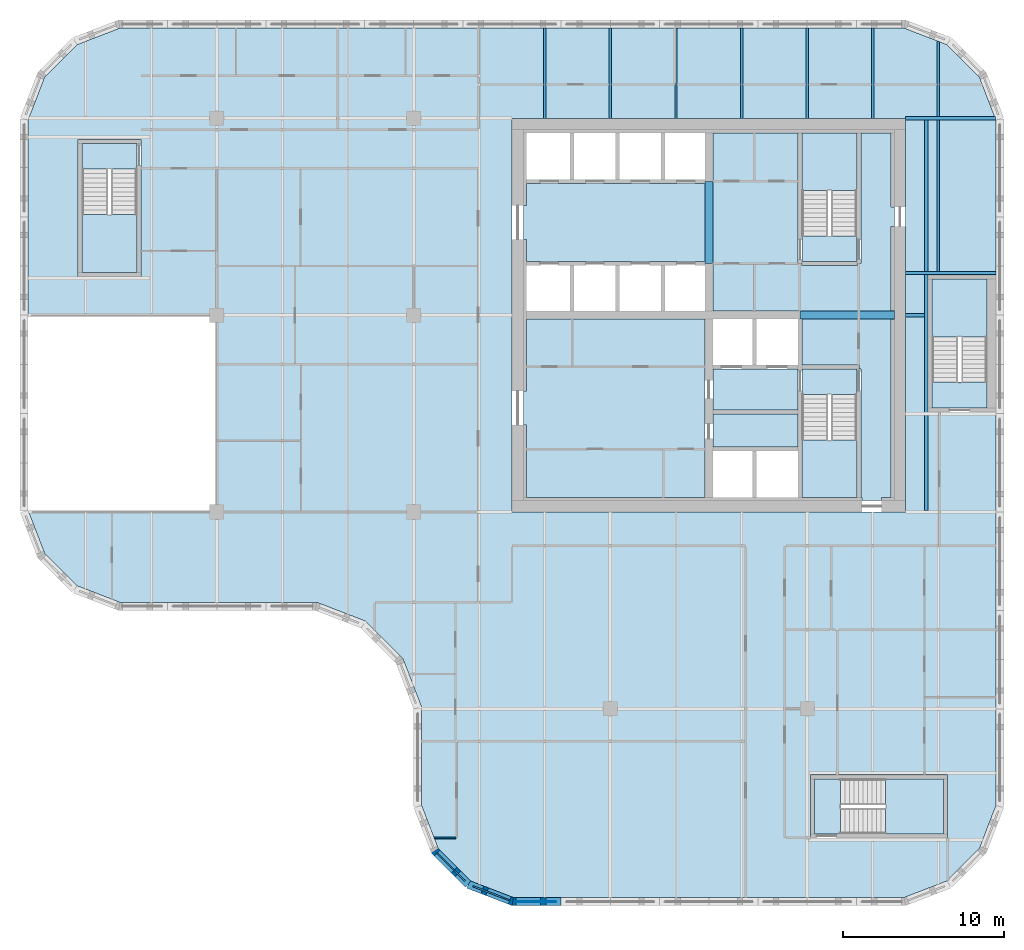
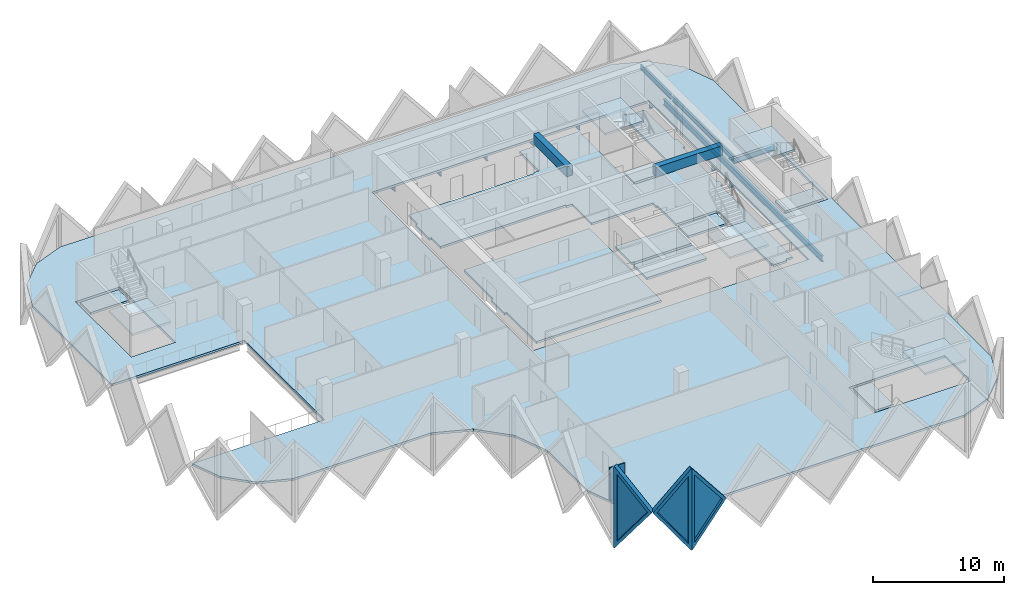
# One storey, part 2 of 12: 15 slabs, 14 beams, 4 walls, 3 plates, 3 openings, 5 elements without a shape of their own.
"""IFC4 building model written with IfcOpenShell, lengths in metres."""

from ifc_helpers import new_model, si_unit, direction, frame, frame_2d, origin, origin_2d, place, context, subcontext, project, spatial, polyline, rectangle, i_section, outline, extrude, faceted_brep, source, transform, mapped, material, layer, layer_set, material_profile, profile_set, type_object, element, fill, aggregate, save


model = new_model("IFC4")

# Units and contexts
model_context = context("Model", 3, precision=1e-05, world=origin(), true_north=direction((0.0, 1.0)))
body_context = subcontext(model_context, "Body", "Model", "MODEL_VIEW")
ifc_project = project(units=[si_unit("LENGTHUNIT", "METRE"), si_unit("AREAUNIT", "SQUARE_METRE"), si_unit("VOLUMEUNIT", "CUBIC_METRE"), si_unit("PLANEANGLEUNIT", "RADIAN"), si_unit("MASSUNIT", "GRAM", prefix="KILO")], contexts=[model_context])

# Site, building, storey
site_placement = place(None, origin())
site = spatial("IfcSite", under=ifc_project, at=site_placement, CompositionType="ELEMENT")
building_placement = place(site_placement, origin())
building = spatial("IfcBuilding", under=site, at=building_placement, Name="Tessera Gate Towers", CompositionType="ELEMENT")
storey_placement = place(building_placement, frame((0.0, 0.0, 135.39990234375)))
storey = spatial("IfcBuildingStorey", under=building, at=storey_placement, Name="L33", CompositionType="ELEMENT", Elevation=135.39990234375)

# Beams
ifc_material_1 = material(Name="Concrete C60/75", Category="concrete")
ifc_material_profile_1 = material_profile(ifc_material_1, rectangle(XDim=0.5, YDim=0.89990234375, at=origin_2d()), Name="RC 500x900")
ifc_profile_set_1 = profile_set([ifc_material_profile_1], Name="Concrete C60/75")
beam_type_1 = type_object("IfcBeamType", Name="COUPLING BEAM 500x900 C60/75", PredefinedType="BEAM", material=ifc_profile_set_1)
beam_1_placement = place(storey_placement, frame((48.35009765625, 36.60009765625, 3.150146484375), z_axis=(1.0, 0.0, 0.0), x_axis=(0.0, 1.0, 0.0)))
element("IfcBeam", 1, at=beam_1_placement, inside=storey, type_object=beam_type_1, Name="L33 coupling beam 1", PredefinedType="BEAM", context=body_context, shape_type="SweptSolid", body=[
    extrude(rectangle(XDim=0.5, YDim=0.89990234375, at=origin_2d()), origin(), (0.0, 0.0, 1.0), 5.849853515625),
])
beam_2_placement = place(storey_placement, frame((42.699951171875, 39.800048828125, 3.150146484375), z_axis=(0.0, 1.0, 0.0), x_axis=(-1.0, 0.0, 0.0)))
element("IfcBeam", 2, at=beam_2_placement, inside=storey, type_object=beam_type_1, Name="L33 coupling beam 2", PredefinedType="BEAM", context=body_context, shape_type="SweptSolid", body=[
    extrude(rectangle(XDim=0.5, YDim=0.89990234375, at=origin_2d()), origin(), (0.0, 0.0, 1.0), 5.099853515625),
])
ifc_material_2 = material(Name="Steel 350W", Category="steel")
ifc_material_profile_2 = material_profile(ifc_material_2, i_section(OverallWidth=0.208984375, OverallDepth=0.532958984375, WebThickness=0.01025390625, FlangeThickness=0.015625, at=origin_2d()), Name="W530x92")
ifc_profile_set_2 = profile_set([ifc_material_profile_2], Name="Steel 350W")
beam_type_2 = type_object("IfcBeamType", Name="FLOOR GIRDER W530x92", PredefinedType="BEAM", material=ifc_profile_set_2)
beam_3_placement = place(storey_placement, frame((54.89892578125, 36.60009765625, -0.46630859375), z_axis=(1.0, 0.0, 0.0), x_axis=(0.0, 1.0, 0.0)))
element("IfcBeam", 3, at=beam_3_placement, inside=storey, type_object=beam_type_2, Name="T1-GD-L33-4010", PredefinedType="BEAM", context=body_context, shape_type="SweptSolid", body=[
    extrude(i_section(OverallWidth=0.208984375, OverallDepth=0.532958984375, WebThickness=0.01025390625, FlangeThickness=0.015625, at=origin_2d()), origin(), (0.0, 0.0, 1.0), 1.176513671875),
])
beam_4_placement = place(storey_placement, frame((54.90087890625, 48.800048828125, -0.46630859375), z_axis=(1.0, 0.0, 0.0), x_axis=(0.0, 1.0, 0.0)))
element("IfcBeam", 4, at=beam_4_placement, inside=storey, type_object=beam_type_2, Name="T1-GD-L33-4014", PredefinedType="BEAM", context=body_context, shape_type="SweptSolid", body=[
    extrude(i_section(OverallWidth=0.208984375, OverallDepth=0.532958984375, WebThickness=0.01025390625, FlangeThickness=0.015625, at=origin_2d()), origin(), (0.0, 0.0, 1.0), 5.564208984375),
])
beam_5_placement = place(storey_placement, frame((54.89892578125, 39.219970703125, -0.46630859375), z_axis=(1.0, 0.0, 0.0), x_axis=(0.0, 1.0, 0.0)))
element("IfcBeam", 5, at=beam_5_placement, inside=storey, type_object=beam_type_2, Name="T1-GD-L33-4032", PredefinedType="BEAM", context=body_context, shape_type="SweptSolid", body=[
    extrude(i_section(OverallWidth=0.208984375, OverallDepth=0.532958984375, WebThickness=0.01025390625, FlangeThickness=0.015625, at=origin_2d()), origin(), (0.0, 0.0, 1.0), 5.60205078125),
])
beam_6_placement = place(storey_placement, frame((56.179931640625, 24.50439453125, -0.46630859375), z_axis=(0.0, 1.0, 0.0), x_axis=(-1.0, 0.0, 0.0)))
element("IfcBeam", 6, at=beam_6_placement, inside=storey, type_object=beam_type_2, Name="T1-GD-L33-4033", PredefinedType="BEAM", context=body_context, shape_type="SweptSolid", body=[
    extrude(i_section(OverallWidth=0.208984375, OverallDepth=0.532958984375, WebThickness=0.01025390625, FlangeThickness=0.015625, at=origin_2d()), origin(), (0.0, 0.0, 1.0), 24.191162109375),
])
ifc_material_3 = material(Name="Steel 350W", Category="steel")
ifc_material_profile_3 = material_profile(ifc_material_3, i_section(OverallWidth=0.153076171875, OverallDepth=0.455078125, WebThickness=0.008056640625, FlangeThickness=0.01318359375, at=origin_2d()), Name="W460x60")
ifc_profile_set_3 = profile_set([ifc_material_profile_3], Name="Steel 350W")
beam_type_3 = type_object("IfcBeamType", Name="FLOOR SECONDARY W460x60", PredefinedType="BEAM", material=ifc_profile_set_3)
for number, where, z_axis, x_axis, name in (
    (7, (32.533203125, 48.800048828125, -0.427490234375), (0.0, 1.0, 0.0), (-1.0, 0.0, 0.0), "T1-BM-L33-4055"),
    (8, (36.60009765625, 48.800048828125, -0.427490234375), (0.0, 1.0, 0.0), (-1.0, 0.0, 0.0), "T1-BM-L33-4056"),
    (9, (40.666748046875, 48.800048828125, -0.427490234375), (0.0, 1.0, 0.0), (-1.0, 0.0, 0.0), "T1-BM-L33-4059"),
    (10, (44.7333984375, 48.800048828125, -0.427490234375), (0.0, 1.0, 0.0), (-1.0, 0.0, 0.0), "T1-BM-L33-4062"),
    (11, (48.800048828125, 48.800048828125, -0.427490234375), (0.0, 1.0, 0.0), (-1.0, 0.0, 0.0), "T1-BM-L33-4063"),
    (12, (52.86669921875, 48.800048828125, -0.427490234375), (0.0, 1.0, 0.0), (-1.0, 0.0, 0.0), "T1-BM-L33-4067"),
):
    element("IfcBeam", number, at=place(storey_placement, frame(where, z_axis=z_axis, x_axis=x_axis)), inside=storey, type_object=beam_type_3, Name=name, PredefinedType="BEAM", context=body_context, shape_type="SweptSolid", body=[
        extrude(i_section(OverallWidth=0.153076171875, OverallDepth=0.455078125, WebThickness=0.008056640625, FlangeThickness=0.01318359375, at=origin_2d()), origin(), (0.0, 0.0, 1.0), 5.599853515625),
    ])
beam_7_placement = place(storey_placement, frame((56.933349609375, 39.324462890625, -0.427490234375), z_axis=(0.0, 1.0, 0.0), x_axis=(-1.0, 0.0, 0.0)))
element("IfcBeam", 13, at=beam_7_placement, inside=storey, type_object=beam_type_3, Name="T1-BM-L33-4072", PredefinedType="BEAM", context=body_context, shape_type="SweptSolid", body=[
    extrude(i_section(OverallWidth=0.153076171875, OverallDepth=0.455078125, WebThickness=0.008056640625, FlangeThickness=0.01318359375, at=origin_2d()), origin(), (0.0, 0.0, 1.0), 9.37109375),
])
beam_8_placement = place(storey_placement, frame((56.933349609375, 48.904541015625, -0.427490234375), z_axis=(0.0, 1.0, 0.0), x_axis=(-1.0, 0.0, 0.0)))
element("IfcBeam", 14, at=beam_8_placement, inside=storey, type_object=beam_type_3, Name="T1-BM-L33-4073", PredefinedType="BEAM", context=body_context, shape_type="SweptSolid", body=[
    extrude(i_section(OverallWidth=0.153076171875, OverallDepth=0.455078125, WebThickness=0.008056640625, FlangeThickness=0.01318359375, at=origin_2d()), origin(), (0.0, 0.0, 1.0), 4.675048828125),
])

# Slabs
ifc_material_4 = material(Name="Concrete C35/45", Category="concrete")
ifc_layer_1 = layer(ifc_material_4, 0.199951171875)
ifc_layer_set_1 = layer_set([ifc_layer_1], Name="COMPOSITE FLOOR 200")
slab_type_1 = type_object("IfcSlabType", Name="COMPOSITE FLOOR 200", PredefinedType="FLOOR", material=ifc_layer_set_1)
slab_1_placement = place(storey_placement, frame((0.0, 0.0, -0.199951171875)))
element("IfcSlab", 15, at=slab_1_placement, inside=storey, type_object=slab_type_1, Name="T1-L33", PredefinedType="FLOOR", context=body_context, shape_type="SweptSolid", body=[
    extrude(outline(polyline([(0.5, 36.60009765625), (12.199951171875, 36.60009765625), (12.199951171875, 24.39990234375), (0.535888671875, 24.39990234375), (1.526123046875, 21.8330078125), (3.533203125, 19.826171875), (6.193115234375, 18.800048828125), (18.39306640625, 18.800048828125), (21.42431640625, 17.630615234375), (23.730712890625, 15.32421875), (24.89990234375, 12.293212890625), (24.89990234375, 6.193115234375), (25.926025390625, 3.533203125), (27.93310546875, 1.526123046875), (30.593017578125, 0.5), (54.806884765625, 0.5), (57.466796875, 1.526123046875), (59.473876953125, 3.533203125), (60.5, 6.193115234375), (60.5, 48.706787109375), (59.473876953125, 51.366943359375), (57.466796875, 53.373779296875), (54.806884765625, 54.39990234375), (6.193115234375, 54.39990234375), (3.533203125, 53.373779296875), (1.526123046875, 51.366943359375), (0.5, 48.706787109375), (0.5, 36.60009765625)]), holes=[polyline([(3.60009765625, 39.0), (3.60009765625, 47.5), (7.5, 47.5), (7.5, 39.0), (3.60009765625, 39.0)]), polyline([(30.5, 24.39990234375), (30.5, 48.800048828125), (54.89990234375, 48.800048828125), (54.89990234375, 24.39990234375), (30.5, 24.39990234375)]), polyline([(49.0, 4.199951171875), (49.0, 8.10009765625), (57.5, 8.10009765625), (57.5, 4.199951171875), (49.0, 4.199951171875)]), polyline([(56.300048828125, 30.60009765625), (56.300048828125, 39.10009765625), (60.199951171875, 39.10009765625), (60.199951171875, 30.60009765625), (56.300048828125, 30.60009765625)])]), origin(), (0.0, 0.0, 1.0), 0.199951171875),
])
ifc_material_5 = material(Name="Concrete C35/45", Category="concrete")
ifc_layer_2 = layer(ifc_material_5, 0.199951171875)
ifc_layer_set_2 = layer_set([ifc_layer_2], Name="CORE FLOOR SLAB 200")
slab_type_2 = type_object("IfcSlabType", Name="CORE FLOOR SLAB 200", PredefinedType="FLOOR", material=ifc_layer_set_2)
slab_2_placement = place(storey_placement, frame((0.0, 0.0, -0.199951171875)))
element("IfcSlab", 16, at=slab_2_placement, inside=storey, type_object=slab_type_2, Name="L33 core floor slab", PredefinedType="FLOOR", context=body_context, shape_type="SweptSolid", body=[
    extrude(outline(polyline([(42.449951171875, 44.89990234375), (42.449951171875, 44.77490234375), (31.39990234375, 44.77490234375), (31.39990234375, 43.39990234375), (31.199951171875, 43.39990234375), (31.199951171875, 41.300048828125), (31.39990234375, 41.300048828125), (31.39990234375, 39.925048828125), (42.449951171875, 39.925048828125), (42.449951171875, 39.800048828125), (42.949951171875, 39.800048828125), (42.949951171875, 36.85009765625), (48.35009765625, 36.85009765625), (48.35009765625, 36.35009765625), (48.47509765625, 36.35009765625), (48.47509765625, 33.52490234375), (52.0, 33.52490234375), (52.0, 33.27490234375), (52.125, 33.27490234375), (52.125, 25.300048828125), (52.199951171875, 25.300048828125), (52.199951171875, 25.10009765625), (53.39990234375, 25.10009765625), (53.39990234375, 25.300048828125), (54.0, 25.300048828125), (54.0, 36.320068359375), (54.199951171875, 36.320068359375), (54.199951171875, 36.8798828125), (54.0, 36.8798828125), (54.0, 42.10009765625), (54.199951171875, 42.10009765625), (54.199951171875, 43.300048828125), (54.0, 43.300048828125), (54.0, 47.89990234375), (52.125, 47.89990234375), (52.125, 39.800048828125), (51.875, 39.800048828125), (51.875, 39.675048828125), (48.47509765625, 39.675048828125), (48.47509765625, 39.800048828125), (48.22509765625, 39.800048828125), (48.22509765625, 47.89990234375), (42.949951171875, 47.89990234375), (42.949951171875, 44.89990234375), (42.449951171875, 44.89990234375)])), origin(), (0.0, 0.0, 1.0), 0.199951171875),
])
slab_3_placement = place(storey_placement, frame((0.0, 0.0, -0.199951171875)))
element("IfcSlab", 17, at=slab_3_placement, inside=storey, type_object=slab_type_2, Name="L33 core floor slab", PredefinedType="FLOOR", context=body_context, shape_type="SweptSolid", body=[
    extrude(outline(polyline([(31.39990234375, 36.35009765625), (31.39990234375, 31.89990234375), (31.199951171875, 31.89990234375), (31.199951171875, 29.800048828125), (31.39990234375, 29.800048828125), (31.39990234375, 25.300048828125), (42.449951171875, 25.300048828125), (42.449951171875, 36.35009765625), (31.39990234375, 36.35009765625)])), origin(), (0.0, 0.0, 1.0), 0.199951171875),
])
slab_4_placement = place(storey_placement, frame((0.0, 0.0, -0.199951171875)))
element("IfcSlab", 18, at=slab_4_placement, inside=storey, type_object=slab_type_2, Name="L33 core floor slab", PredefinedType="FLOOR", context=body_context, shape_type="SweptSolid", body=[
    extrude(outline(polyline([(42.949951171875, 33.27490234375), (42.949951171875, 30.72509765625), (48.22509765625, 30.72509765625), (48.22509765625, 33.27490234375), (42.949951171875, 33.27490234375)])), origin(), (0.0, 0.0, 1.0), 0.199951171875),
])
slab_5_placement = place(storey_placement, frame((0.0, 0.0, -0.199951171875)))
element("IfcSlab", 19, at=slab_5_placement, inside=storey, type_object=slab_type_2, Name="L33 core floor slab", PredefinedType="FLOOR", context=body_context, shape_type="SweptSolid", body=[
    extrude(outline(polyline([(48.22509765625, 30.47509765625), (42.949951171875, 30.47509765625), (42.949951171875, 28.425048828125), (48.22509765625, 28.425048828125), (48.22509765625, 30.47509765625)])), origin(), (0.0, 0.0, 1.0), 0.199951171875),
])
slab_6_placement = place(storey_placement, frame((0.0, 0.0, -0.199951171875)))
element("IfcSlab", 20, at=slab_6_placement, inside=storey, type_object=slab_type_2, Name="L33 core floor slab", PredefinedType="FLOOR", context=body_context, shape_type="SweptSolid", body=[
    extrude(outline(polyline([(51.875, 31.675048828125), (51.875, 33.27490234375), (48.47509765625, 33.27490234375), (48.47509765625, 31.675048828125), (51.875, 31.675048828125)])), origin(), (0.0, 0.0, 1.0), 0.199951171875),
])
slab_7_placement = place(storey_placement, frame((0.0, 0.0, -0.199951171875)))
element("IfcSlab", 21, at=slab_7_placement, inside=storey, type_object=slab_type_2, Name="L33 core floor slab", PredefinedType="FLOOR", context=body_context, shape_type="SweptSolid", body=[
    extrude(outline(polyline([(48.47509765625, 41.52490234375), (48.47509765625, 39.925048828125), (51.875, 39.925048828125), (51.875, 41.52490234375), (48.47509765625, 41.52490234375)])), origin(), (0.0, 0.0, 1.0), 0.199951171875),
])
slab_8_placement = place(storey_placement, frame((0.0, 0.0, -0.199951171875)))
element("IfcSlab", 22, at=slab_8_placement, inside=storey, type_object=slab_type_2, Name="L33 ST3 floor landing", PredefinedType="FLOOR", context=body_context, shape_type="SweptSolid", body=[
    extrude(outline(polyline([(3.85009765625, 47.25), (3.85009765625, 45.64990234375), (7.25, 45.64990234375), (7.25, 47.25), (3.85009765625, 47.25)])), origin(), (0.0, 0.0, 1.0), 0.199951171875),
])
slab_9_placement = place(storey_placement, frame((0.0, 0.0, -0.199951171875)))
element("IfcSlab", 23, at=slab_9_placement, inside=storey, type_object=slab_type_2, Name="L33 ST4 floor landing", PredefinedType="FLOOR", context=body_context, shape_type="SweptSolid", body=[
    extrude(outline(polyline([(49.25, 4.449951171875), (50.85009765625, 4.449951171875), (50.85009765625, 7.85009765625), (49.25, 7.85009765625), (49.25, 4.449951171875)])), origin(), (0.0, 0.0, 1.0), 0.199951171875),
])
slab_10_placement = place(storey_placement, frame((0.0, 0.0, -0.199951171875)))
element("IfcSlab", 24, at=slab_10_placement, inside=storey, type_object=slab_type_2, Name="L33 ST5 floor landing", PredefinedType="FLOOR", context=body_context, shape_type="SweptSolid", body=[
    extrude(outline(polyline([(59.949951171875, 30.85009765625), (59.949951171875, 32.449951171875), (56.550048828125, 32.449951171875), (56.550048828125, 30.85009765625), (59.949951171875, 30.85009765625)])), origin(), (0.0, 0.0, 1.0), 0.199951171875),
])

# Stair, slab
ifc_material_6 = material(Name="Concrete C40/50", Category="concrete")
stair_type_1 = type_object("IfcStairType", Name="EXIT STAIR ST1 1600", PredefinedType="HALF_TURN_STAIR", material=ifc_material_6)
stair_1_placement = place(storey_placement, origin())
stair_1 = element("IfcStair", 25, at=stair_1_placement, inside=storey, type_object=stair_type_1, Name="L33 Protected Exit Stair ST1", PredefinedType="HALF_TURN_STAIR")
ifc_material_7 = material(Name="Concrete C40/50", Category="concrete")
ifc_layer_3 = layer(ifc_material_7, 0.199951171875)
ifc_layer_set_3 = layer_set([ifc_layer_3], Name="EXIT STAIR LANDING 200")
slab_type_3 = type_object("IfcSlabType", Name="EXIT STAIR LANDING 200", PredefinedType="LANDING", material=ifc_layer_set_3)
slab_11_placement = place(storey_placement, frame((0.0, 0.0, 1.7001953125)))
slab_11 = element("IfcSlab", 26, at=slab_11_placement, type_object=slab_type_3, Name="ST1 landing 1", PredefinedType="LANDING", context=body_context, shape_type="SweptSolid", body=[
    extrude(outline(polyline([(48.47509765625, 28.875), (48.47509765625, 25.300048828125), (51.875, 25.300048828125), (51.875, 28.875), (48.47509765625, 28.875)])), origin(), (0.0, 0.0, 1.0), 0.199951171875),
])
aggregate(stair_1, [slab_11])

ifc_material_8 = material(Name="Concrete C40/50", Category="concrete")
stair_type_2 = type_object("IfcStairType", Name="EXIT STAIR ST2 1600", PredefinedType="HALF_TURN_STAIR", material=ifc_material_8)
stair_2_placement = place(storey_placement, origin())
stair_2 = element("IfcStair", 27, at=stair_2_placement, inside=storey, type_object=stair_type_2, Name="L33 Protected Exit Stair ST2", PredefinedType="HALF_TURN_STAIR")
slab_12_placement = place(storey_placement, frame((0.0, 0.0, 1.7001953125)))
slab_12 = element("IfcSlab", 28, at=slab_12_placement, type_object=slab_type_3, Name="ST2 landing 1", PredefinedType="LANDING", context=body_context, shape_type="SweptSolid", body=[
    extrude(outline(polyline([(51.875, 44.324951171875), (51.875, 47.89990234375), (48.47509765625, 47.89990234375), (48.47509765625, 44.324951171875), (51.875, 44.324951171875)])), origin(), (0.0, 0.0, 1.0), 0.199951171875),
])
aggregate(stair_2, [slab_12])

ifc_material_9 = material(Name="Concrete C40/50", Category="concrete")
stair_type_3 = type_object("IfcStairType", Name="EXIT STAIR ST3 1600", PredefinedType="HALF_TURN_STAIR", material=ifc_material_9)
stair_3_placement = place(storey_placement, origin())
stair_3 = element("IfcStair", 29, at=stair_3_placement, inside=storey, type_object=stair_type_3, Name="L33 West Exit Stair ST3", PredefinedType="HALF_TURN_STAIR")
slab_13_placement = place(storey_placement, frame((0.0, 0.0, 1.7001953125)))
slab_13 = element("IfcSlab", 30, at=slab_13_placement, type_object=slab_type_3, Name="ST3 landing 1", PredefinedType="LANDING", context=body_context, shape_type="SweptSolid", body=[
    extrude(outline(polyline([(3.85009765625, 42.85009765625), (3.85009765625, 39.25), (7.25, 39.25), (7.25, 42.85009765625), (3.85009765625, 42.85009765625)])), origin(), (0.0, 0.0, 1.0), 0.199951171875),
])
aggregate(stair_3, [slab_13])

ifc_material_10 = material(Name="Concrete C40/50", Category="concrete")
stair_type_4 = type_object("IfcStairType", Name="EXIT STAIR ST4 1600", PredefinedType="HALF_TURN_STAIR", material=ifc_material_10)
stair_4_placement = place(storey_placement, origin())
stair_4 = element("IfcStair", 31, at=stair_4_placement, inside=storey, type_object=stair_type_4, Name="L33 South Exit Stair ST4", PredefinedType="HALF_TURN_STAIR")
slab_14_placement = place(storey_placement, frame((0.0, 0.0, 1.7001953125)))
slab_14 = element("IfcSlab", 32, at=slab_14_placement, type_object=slab_type_3, Name="ST4 landing 1", PredefinedType="LANDING", context=body_context, shape_type="SweptSolid", body=[
    extrude(outline(polyline([(53.64990234375, 4.449951171875), (57.25, 4.449951171875), (57.25, 7.85009765625), (53.64990234375, 7.85009765625), (53.64990234375, 4.449951171875)])), origin(), (0.0, 0.0, 1.0), 0.199951171875),
])
aggregate(stair_4, [slab_14])

ifc_material_11 = material(Name="Concrete C40/50", Category="concrete")
stair_type_5 = type_object("IfcStairType", Name="EXIT STAIR ST5 1600", PredefinedType="HALF_TURN_STAIR", material=ifc_material_11)
stair_5_placement = place(storey_placement, origin())
stair_5 = element("IfcStair", 33, at=stair_5_placement, inside=storey, type_object=stair_type_5, Name="L33 East Exit Stair ST5", PredefinedType="HALF_TURN_STAIR")
slab_15_placement = place(storey_placement, frame((0.0, 0.0, 1.7001953125)))
slab_15 = element("IfcSlab", 34, at=slab_15_placement, type_object=slab_type_3, Name="ST5 landing 1", PredefinedType="LANDING", context=body_context, shape_type="SweptSolid", body=[
    extrude(outline(polyline([(59.949951171875, 35.25), (59.949951171875, 38.85009765625), (56.550048828125, 38.85009765625), (56.550048828125, 35.25), (59.949951171875, 35.25)])), origin(), (0.0, 0.0, 1.0), 0.199951171875),
])
aggregate(stair_5, [slab_15])

# Wall
ifc_material_12 = material(Name="Gypsum board on steel studs", Category="steel")
ifc_layer_4 = layer(ifc_material_12, 0.10009765625)
ifc_layer_set_4 = layer_set([ifc_layer_4], Name="PARTITION 100")
wall_type_1 = type_object("IfcWallType", Name="PARTITION 100", PredefinedType="PARTITIONING", material=ifc_layer_set_4)
wall_1_placement = place(storey_placement, frame((25.668701171875, 4.199951171875, 0.0), z_axis=(0.0, 0.0, 1.0), x_axis=(1.0, 0.0, 0.0)))
element("IfcWall", 35, at=wall_1_placement, inside=storey, type_object=wall_type_1, Name="T1-L33-PW-003", PredefinedType="PARTITIONING", context=body_context, shape_type="SweptSolid", body=[
    extrude(rectangle(XDim=1.355224609375, YDim=0.10009765625, at=frame_2d((0.677734375, 0.0))), origin(), (0.0, 0.0, 1.0), 3.067138671875),
])

# Wall, opening, plate
ifc_material_13 = material(Name="Precast concrete C60/75 white", Category="concrete")
ifc_layer_5 = layer(ifc_material_13, 0.5)
ifc_layer_set_5 = layer_set([ifc_layer_5], Name="TS3 corner tessera")
wall_type_2 = type_object("IfcWallType", Name="TS3 corner tessera", PredefinedType="SOLIDWALL", material=ifc_layer_set_5)
shared_shape_1 = source(origin(), body_context, "Body", "Brep", [
    faceted_brep([(0.046630859375, -0.25, 0.0), (3.050048828125, -0.25, 3.7998046875), (0.046630859375, -0.25, 7.599853515625), (0.0, -0.25, 7.539794921875), (0.0, -0.25, 0.06005859375), (0.09326171875, 0.25, 7.541015625), (3.050048828125, 0.25, 3.7998046875), (0.09326171875, 0.25, 0.058837890625), (0.046630859375, 0.0, 0.0), (0.046630859375, 0.0, 7.599853515625)], [[[0, 1, 2, 3, 4]], [[5, 6, 7]], [[7, 6, 1, 0, 8]], [[6, 5, 9, 2, 1]], [[3, 2, 9]], [[8, 0, 4]], [[7, 8, 4, 3, 9, 5]]]),
])
wall_2_placement = place(storey_placement, frame((30.5, 0.25, -3.7998046875), z_axis=(0.0, 0.0, 1.0), x_axis=(1.0, 0.0, 0.0)))
wall_2 = element("IfcWall", 36, at=wall_2_placement, inside=storey, type_object=wall_type_2, Name="Precast corner tessera T1 TS3-0745", PredefinedType="SOLIDWALL", context=body_context, shape_type="MappedRepresentation", body=[
    mapped(shared_shape_1, transform((0.0, 0.0, 0.0), scale=1.0)),
])
shared_shape_2 = source(origin(), body_context, "Body", "SweptSolid", [
    extrude(outline(polyline([(0.24658203125, 0.656005859375), (2.7314453125, 3.7998046875), (0.24658203125, 6.943603515625), (0.24658203125, 0.656005859375)])), frame((0.0, 0.260009765625, 0.0), z_axis=(0.0, -1.0, 0.0), x_axis=(1.0, 0.0, 0.0)), (0.0, 0.0, 1.0), 0.52001953125),
])
opening_1_placement = place(wall_2_placement, origin())
opening_1 = element("IfcOpeningElement", 37, at=opening_1_placement, cuts=wall_2, Name="Opening T1-PL2-1128", PredefinedType="OPENING", context=body_context, shape_type="MappedRepresentation", body=[
    mapped(shared_shape_2, transform((0.0, 0.0, 0.0), scale=1.0)),
])
ifc_material_14 = material(Name="Low-e laminated glass", Category="glass")
ifc_layer_6 = layer(ifc_material_14, 0.06005859375)
ifc_layer_set_6 = layer_set([ifc_layer_6], Name="PL2 rhombic pane")
plate_type = type_object("IfcPlateType", Name="PL2 rhombic pane", PredefinedType="SHEET", material=ifc_layer_set_6)
shared_shape_3 = source(origin(), body_context, "Body", "SweptSolid", [
    extrude(outline(polyline([(0.24658203125, 0.656005859375), (2.7314453125, 3.7998046875), (0.24658203125, 6.943603515625), (0.24658203125, 0.656005859375)])), frame((0.0, 0.030029296875, 0.0), z_axis=(0.0, -1.0, 0.0), x_axis=(1.0, 0.0, 0.0)), (0.0, 0.0, 1.0), 0.06005859375),
])
plate_1_placement = place(opening_1_placement, origin())
plate_1 = element("IfcPlate", 38, at=plate_1_placement, inside=storey, type_object=plate_type, Name="Glass pane T1 PL2-1128", PredefinedType="SHEET", context=body_context, shape_type="MappedRepresentation", body=[
    mapped(shared_shape_3, transform((0.0, 0.0, 0.0), scale=1.0)),
])
fill(opening_1, plate_1)

shared_shape_4 = source(origin(), body_context, "Body", "Brep", [
    faceted_brep([(2.950439453125, -0.25, 0.0), (2.9970703125, -0.25, 0.05908203125), (2.9970703125, -0.25, 7.540771484375), (2.950439453125, -0.25, 7.599853515625), (0.0, -0.25, 3.7998046875), (0.052978515625, 0.25, 3.867919921875), (2.904052734375, 0.25, 7.5400390625), (2.904052734375, 0.25, 0.059814453125), (0.052978515625, 0.25, 3.731689453125), (2.950439453125, 0.00048828125, 0.0), (2.950439453125, 0.00048828125, 7.599853515625), (0.0, 0.0, 3.7998046875)], [[[0, 1, 2, 3, 4]], [[5, 6, 7, 8]], [[1, 0, 9]], [[10, 3, 2]], [[6, 5, 11, 4, 3, 10]], [[8, 7, 9, 0, 4, 11]], [[8, 11, 5]], [[1, 9, 7, 6, 10, 2]]]),
])
wall_3_placement = place(storey_placement, frame((27.793701171875, 1.31201171875, -3.7998046875), z_axis=(0.0, 0.0, 1.0), x_axis=(0.932973525033, -0.359944998003, 0.0)))
wall_3 = element("IfcWall", 39, at=wall_3_placement, inside=storey, type_object=wall_type_2, Name="Precast corner tessera T1 TS3-0746", PredefinedType="SOLIDWALL", context=body_context, shape_type="MappedRepresentation", body=[
    mapped(shared_shape_4, transform((0.0, 0.0, 0.0), scale=1.0)),
])
shared_shape_5 = source(origin(), body_context, "Body", "SweptSolid", [
    extrude(outline(polyline([(2.75048828125, 6.9345703125), (0.31640625, 3.7998046875), (2.75048828125, 0.6650390625), (2.75048828125, 6.9345703125)])), frame((0.0, 0.260009765625, 0.0), z_axis=(0.0, -1.0, 0.0), x_axis=(1.0, 0.0, 0.0)), (0.0, 0.0, 1.0), 0.52001953125),
])
opening_2_placement = place(wall_3_placement, origin())
opening_2 = element("IfcOpeningElement", 40, at=opening_2_placement, cuts=wall_3, Name="Opening T1-PL2-1129", PredefinedType="OPENING", context=body_context, shape_type="MappedRepresentation", body=[
    mapped(shared_shape_5, transform((0.0, 0.0, 0.0), scale=1.0)),
])
shared_shape_6 = source(origin(), body_context, "Body", "SweptSolid", [
    extrude(outline(polyline([(2.75048828125, 6.9345703125), (0.31640625, 3.7998046875), (2.75048828125, 0.6650390625), (2.75048828125, 6.9345703125)])), frame((0.0, 0.030029296875, 0.0), z_axis=(0.0, -1.0, 0.0), x_axis=(1.0, 0.0, 0.0)), (0.0, 0.0, 1.0), 0.06005859375),
])
plate_2_placement = place(opening_2_placement, origin())
plate_2 = element("IfcPlate", 41, at=plate_2_placement, inside=storey, type_object=plate_type, Name="Glass pane T1 PL2-1129", PredefinedType="SHEET", context=body_context, shape_type="MappedRepresentation", body=[
    mapped(shared_shape_6, transform((0.0, 0.0, 0.0), scale=1.0)),
])
fill(opening_2, plate_2)

shared_shape_7 = source(origin(), body_context, "Body", "Brep", [
    faceted_brep([(0.052978515625, -0.25, 0.0), (2.9970703125, -0.25, 3.7998046875), (0.052978515625, -0.25, 7.599853515625), (0.0, -0.25, 7.53173828125), (0.0, -0.25, 0.068115234375), (0.10595703125, 0.25, 7.531494140625), (2.944091796875, 0.25, 3.867919921875), (2.944091796875, 0.25, 3.731689453125), (0.10595703125, 0.25, 0.068359375), (2.9970703125, 0.000244140625, 3.7998046875), (0.052978515625, 0.0, 0.0), (0.052978515625, 0.0, 7.599853515625)], [[[0, 1, 2, 3, 4]], [[5, 6, 7, 8]], [[8, 7, 9, 1, 0, 10]], [[6, 5, 11, 2, 1, 9]], [[3, 2, 11]], [[10, 0, 4]], [[8, 10, 4, 3, 11, 5]], [[9, 7, 6]]]),
])
wall_4_placement = place(storey_placement, frame((25.674560546875, 3.43115234375, -3.7998046875), z_axis=(0.0, 0.0, 1.0), x_axis=(0.707106781187, -0.707106781187, 0.0)))
wall_4 = element("IfcWall", 42, at=wall_4_placement, inside=storey, type_object=wall_type_2, Name="Precast corner tessera T1 TS3-0768", PredefinedType="SOLIDWALL", context=body_context, shape_type="MappedRepresentation", body=[
    mapped(shared_shape_7, transform((0.0, 0.0, 0.0), scale=1.0)),
])
shared_shape_8 = source(origin(), body_context, "Body", "SweptSolid", [
    extrude(outline(polyline([(0.2529296875, 0.666259765625), (2.680908203125, 3.7998046875), (0.2529296875, 6.93359375), (0.2529296875, 0.666259765625)])), frame((0.0, 0.260009765625, 0.0), z_axis=(0.0, -1.0, 0.0), x_axis=(1.0, 0.0, 0.0)), (0.0, 0.0, 1.0), 0.52001953125),
])
opening_3_placement = place(wall_4_placement, origin())
opening_3 = element("IfcOpeningElement", 43, at=opening_3_placement, cuts=wall_4, Name="Opening T1-PL2-1174", PredefinedType="OPENING", context=body_context, shape_type="MappedRepresentation", body=[
    mapped(shared_shape_8, transform((0.0, 0.0, 0.0), scale=1.0)),
])
shared_shape_9 = source(origin(), body_context, "Body", "SweptSolid", [
    extrude(outline(polyline([(0.2529296875, 0.666259765625), (2.680908203125, 3.7998046875), (0.2529296875, 6.93359375), (0.2529296875, 0.666259765625)])), frame((0.0, 0.030029296875, 0.0), z_axis=(0.0, -1.0, 0.0), x_axis=(1.0, 0.0, 0.0)), (0.0, 0.0, 1.0), 0.06005859375),
])
plate_3_placement = place(opening_3_placement, origin())
plate_3 = element("IfcPlate", 44, at=plate_3_placement, inside=storey, type_object=plate_type, Name="Glass pane T1 PL2-1174", PredefinedType="SHEET", context=body_context, shape_type="MappedRepresentation", body=[
    mapped(shared_shape_9, transform((0.0, 0.0, 0.0), scale=1.0)),
])
fill(opening_3, plate_3)

save(model, "model.ifc")
